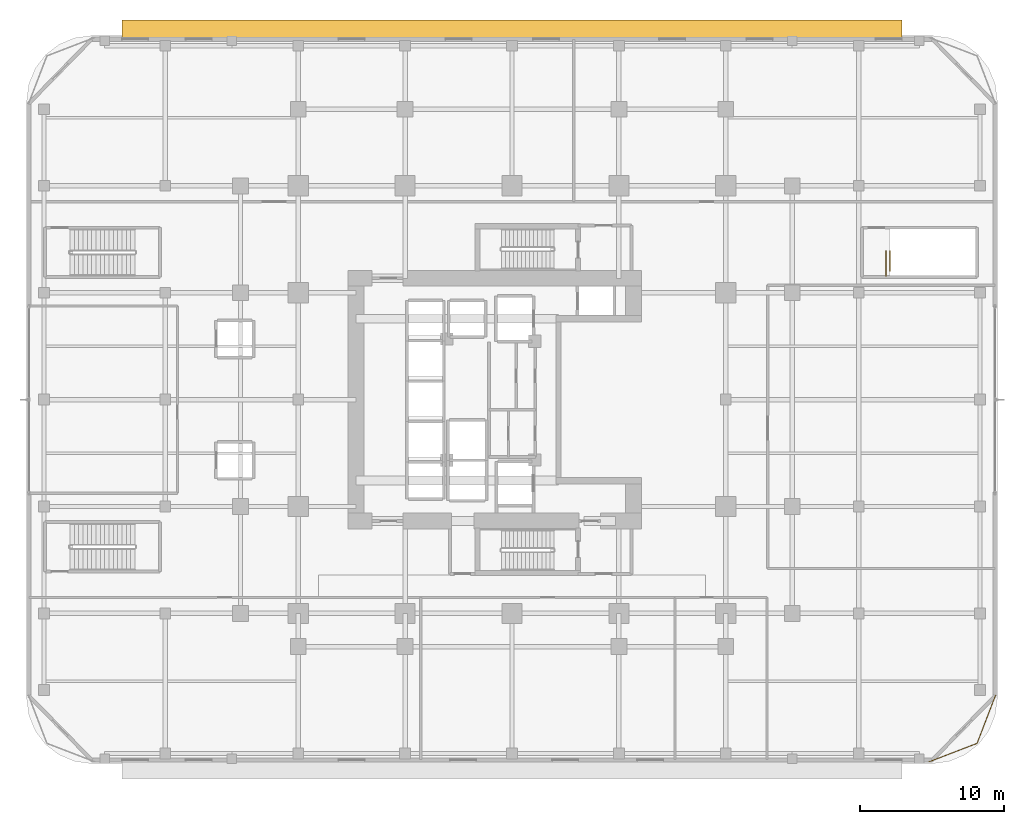
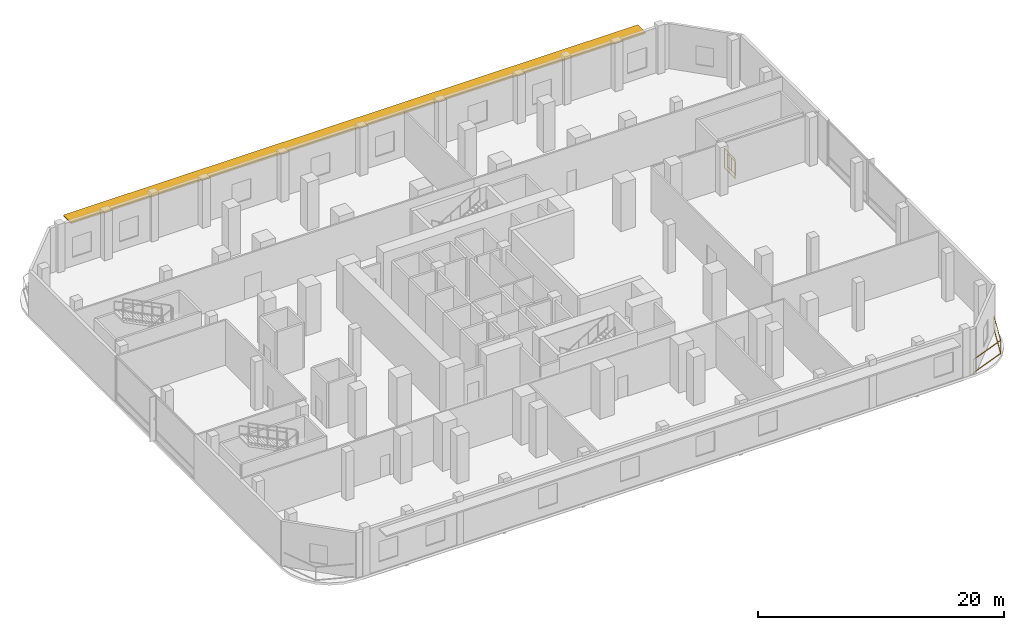
# One storey, part 18 of 19: 3 railings, 1 shading device.
"""IFC4 building model written with IfcOpenShell, lengths in metres."""

from ifc_helpers import new_model, si_unit, direction, frame, origin, origin_2d, place, context, subcontext, project, spatial, polyline, rectangle, outline, extrude, material, layer, layer_set, type_object, element, save


model = new_model("IFC4")

# Units and contexts
model_context = context("Model", 3, precision=1e-05, world=origin(), true_north=direction((0.0, 1.0)))
body_context = subcontext(model_context, "Body", "Model", "MODEL_VIEW")
ifc_project = project(units=[si_unit("LENGTHUNIT", "METRE"), si_unit("AREAUNIT", "SQUARE_METRE"), si_unit("VOLUMEUNIT", "CUBIC_METRE"), si_unit("PLANEANGLEUNIT", "RADIAN"), si_unit("MASSUNIT", "GRAM", prefix="KILO")], contexts=[model_context])

# Site, building, storey
site_placement = place(None, origin())
site = spatial("IfcSite", under=ifc_project, at=site_placement, CompositionType="ELEMENT")
building_placement = place(site_placement, origin())
building = spatial("IfcBuilding", under=site, at=building_placement, Name="Khorvyn Point Tower", CompositionType="ELEMENT")
storey_placement = place(building_placement, frame((0.0, 0.0, 21.60009765625)))
storey = spatial("IfcBuildingStorey", under=building, at=storey_placement, Name="L06", CompositionType="ELEMENT", Elevation=21.60009765625)

# Shading device
ifc_material_1 = material(Name="Bronze anodised aluminium 6063-T6", Category="aluminium")
ifc_layer = layer(ifc_material_1, 0.139892578125)
ifc_layer_set = layer_set([ifc_layer], Name="Anodised Aluminium Horizontal Monsoon Sunshade Canopy")
shading_device_type = type_object("IfcShadingDeviceType", Name="Anodised Aluminium Horizontal Monsoon Sunshade Canopy", PredefinedType="AWNING", material=ifc_layer_set)
shading_device_placement = place(storey_placement, frame((0.0, 0.0, 4.059814453125)))
element("IfcShadingDevice", 1, at=shading_device_placement, inside=storey, type_object=shading_device_type, Name="L06 North Classroom Monsoon Sunshade", PredefinedType="AWNING", context=body_context, shape_type="SweptSolid", body=[
    extrude(outline(polyline([(-27.0, 25.030029296875), (27.0, 25.030029296875), (27.0, 26.280029296875), (-27.0, 26.280029296875), (-27.0, 25.030029296875)])), origin(), (0.0, 0.0, 1.0), 0.14013671875),
])

# Railings
ifc_material_2 = material(Name="Anodised aluminium 6063-T6 and laminated safety glass", Category="aluminium")
railing_type_1 = type_object("IfcRailingType", Name="Laminated Glass and Aluminium Balcony Guardrail 1400", PredefinedType="BALUSTRADE", material=ifc_material_2)
railing_1_placement = place(storey_placement, frame((28.870849609375, -25.073974609375, 0.0)))
element("IfcRailing", 2, at=railing_1_placement, inside=storey, type_object=railing_type_1, Name="L06 Rounded Corner Edge Guardrail SE", PredefinedType="BALUSTRADE", context=body_context, shape_type="SweptSolid", body=[
    extrude(rectangle(XDim=0.048095703125, YDim=0.048095703125, at=origin_2d()), frame((0.0, 0.0, 1.3759765625), z_axis=(0.933575007025, 0.358382067435, 0.0), x_axis=(-0.358382067435, 0.933575007025, 0.0)), (0.0, 0.0, 1.0), 3.562744140625),
    extrude(rectangle(XDim=0.048095703125, YDim=0.048095703125, at=origin_2d()), frame((0.0, 0.0, 0.080078125), z_axis=(0.933575007025, 0.358382067435, 0.0), x_axis=(-0.358382067435, 0.933575007025, 0.0)), (0.0, 0.0, 1.0), 3.562744140625),
    extrude(rectangle(XDim=0.048095703125, YDim=0.048095703125, at=origin_2d()), frame((3.326171875, 1.27685546875, 1.3759765625), z_axis=(0.35841886047, 0.933560882031, 0.0), x_axis=(-0.933560882031, 0.35841886047, 0.0)), (0.0, 0.0, 1.0), 3.563232421875),
    extrude(rectangle(XDim=0.048095703125, YDim=0.048095703125, at=origin_2d()), frame((3.326171875, 1.27685546875, 0.080078125), z_axis=(0.35841886047, 0.933560882031, 0.0), x_axis=(-0.933560882031, 0.35841886047, 0.0)), (0.0, 0.0, 1.0), 3.563232421875),
    extrude(rectangle(XDim=0.0419921875, YDim=0.0419921875, at=origin_2d()), origin(), (0.0, 0.0, 1.0), 1.351806640625),
    extrude(rectangle(XDim=0.0419921875, YDim=0.0419921875, at=origin_2d()), frame((3.326171875, 1.27685546875, 0.0)), (0.0, 0.0, 1.0), 1.351806640625),
    extrude(rectangle(XDim=0.0419921875, YDim=0.0419921875, at=origin_2d()), frame((4.603271484375, 4.603271484375, 0.0)), (0.0, 0.0, 1.0), 1.351806640625),
])
ifc_material_3 = material(Name="Stainless steel 1.4301", Category="steel")
railing_type_2 = type_object("IfcRailingType", Name="Stainless Steel 304 Stair Well Guardrail 1400", PredefinedType="GUARDRAIL", material=ifc_material_3)
railing_2_placement = place(storey_placement, frame((25.89990234375, 8.56005859375, 0.0)))
element("IfcRailing", 3, at=railing_2_placement, inside=storey, type_object=railing_type_2, Name="L06 ST-S3 top well guard 1", PredefinedType="GUARDRAIL", context=body_context, shape_type="SweptSolid", body=[
    extrude(rectangle(XDim=0.048095703125, YDim=0.048095703125, at=origin_2d()), frame((0.0, 0.0, 2.02587890625), z_axis=(0.0, 1.0, 0.0), x_axis=(-1.0, 0.0, 0.0)), (0.0, 0.0, 1.0), 1.7099609375),
    extrude(rectangle(XDim=0.048095703125, YDim=0.048095703125, at=origin_2d()), frame((0.0, 0.0, 0.080078125), z_axis=(0.0, 1.0, 0.0), x_axis=(-1.0, 0.0, 0.0)), (0.0, 0.0, 1.0), 1.7099609375),
    extrude(rectangle(XDim=0.0419921875, YDim=0.0419921875, at=origin_2d()), origin(), (0.0, 0.0, 1.0), 2.001953125),
    extrude(rectangle(XDim=0.0419921875, YDim=0.0419921875, at=origin_2d()), frame((0.0, 0.85498046875, 0.0)), (0.0, 0.0, 1.0), 2.001953125),
    extrude(rectangle(XDim=0.0419921875, YDim=0.0419921875, at=origin_2d()), frame((0.0, 1.7099609375, 0.0)), (0.0, 0.0, 1.0), 2.001953125),
])
railing_3_placement = place(storey_placement, frame((26.169921875, 8.909912109375, 0.0)))
element("IfcRailing", 4, at=railing_3_placement, inside=storey, type_object=railing_type_2, Name="L06 ST-S3 Top-Well Lip Guardrail", PredefinedType="GUARDRAIL", context=body_context, shape_type="SweptSolid", body=[
    extrude(rectangle(XDim=0.048095703125, YDim=0.048095703125, at=origin_2d()), frame((0.0, 0.0, 1.3759765625), z_axis=(0.0, 1.0, 0.0), x_axis=(-1.0, 0.0, 0.0)), (0.0, 0.0, 1.0), 1.380126953125),
    extrude(rectangle(XDim=0.048095703125, YDim=0.048095703125, at=origin_2d()), frame((0.0, 0.0, 0.080078125), z_axis=(0.0, 1.0, 0.0), x_axis=(-1.0, 0.0, 0.0)), (0.0, 0.0, 1.0), 1.380126953125),
    extrude(rectangle(XDim=0.0419921875, YDim=0.0419921875, at=origin_2d()), origin(), (0.0, 0.0, 1.0), 1.351806640625),
    extrude(rectangle(XDim=0.0419921875, YDim=0.0419921875, at=origin_2d()), frame((0.0, 0.68994140625, 0.0)), (0.0, 0.0, 1.0), 1.351806640625),
    extrude(rectangle(XDim=0.0419921875, YDim=0.0419921875, at=origin_2d()), frame((0.0, 1.380126953125, 0.0)), (0.0, 0.0, 1.0), 1.351806640625),
])

save(model, "model.ifc")
